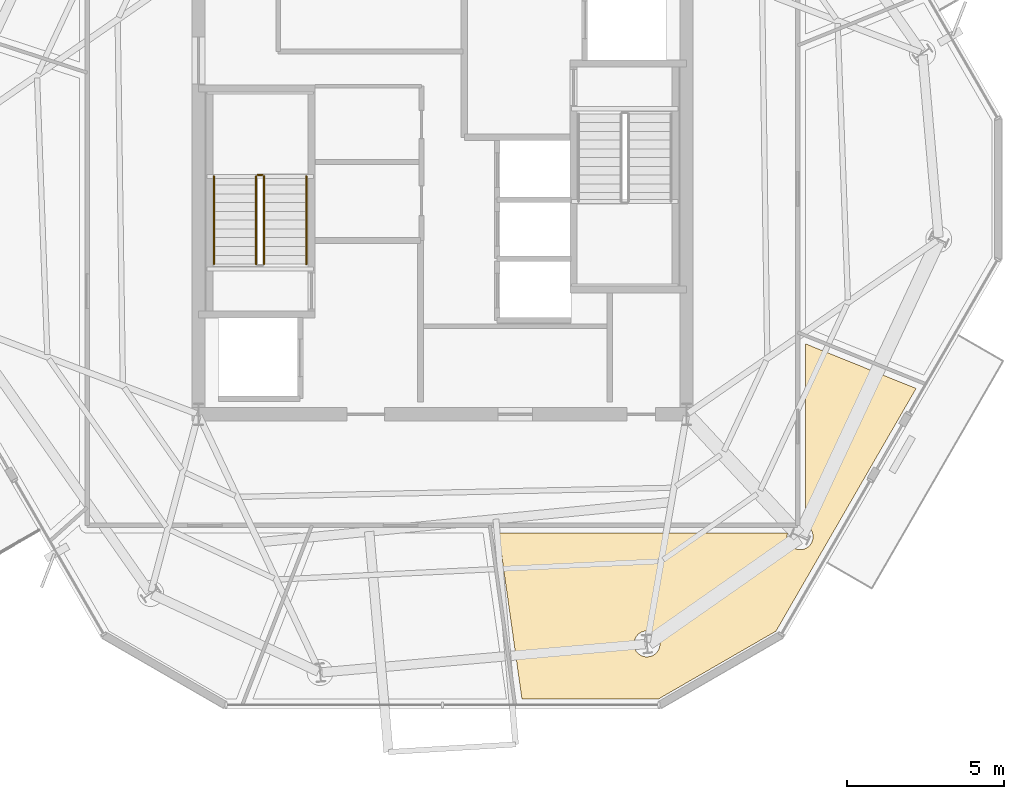
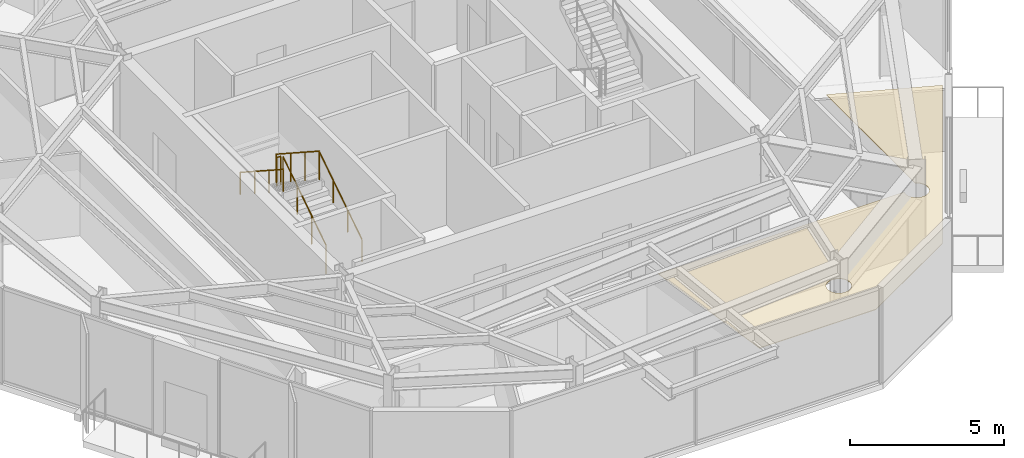
# One storey, part 9 of 11: 5 railings, 1 covering.
"""IFC4 building model written with IfcOpenShell, lengths in metres."""

import ifcopenshell
import ifcopenshell.guid

model = None  # the IFC model being written
_history = None  # IfcOwnerHistory: only IFC2X3 demands one
_inside = {}  # id of a spatial element -> (the spatial element, [elements in it])
_under = {}  # id of a project, library or spatial element -> (it, [spatial elements below it])
_declared = {}  # id of a project -> (the project, [libraries it declares])
_typed = {}  # id of a type object -> (the type object, [elements of that type])
_made_of = {}  # id of a material, layer set ... -> (it, [elements and type objects made of it])


def new_model(schema):
    """Start an empty IFC model of exactly this schema.

    Asked for "IFC4X3", IfcOpenShell would pick the latest addendum, in which some entities
    have other attributes; the version numbers below select the first issue.
    IFC2X3 requires an IfcOwnerHistory on every rooted entity: one is made here for all.
    """
    global model, _history
    if schema == "IFC4X3":
        model = ifcopenshell.file(schema_version=(4, 3, 0, 0))
    else:
        model = ifcopenshell.file(schema=schema)
    _inside.clear()
    _under.clear()
    _declared.clear()
    _typed.clear()
    _made_of.clear()
    _history = None
    if model.schema == "IFC2X3":
        org = make("IfcOrganization", Name="unknown")
        user = make(
            "IfcPersonAndOrganization",
            ThePerson=make("IfcPerson", FamilyName="unknown"),
            TheOrganization=org,
        )
        app = make(
            "IfcApplication",
            ApplicationDeveloper=org,
            Version="unknown",
            ApplicationFullName="unknown",
            ApplicationIdentifier="unknown",
        )
        _history = make(
            "IfcOwnerHistory",
            OwningUser=user,
            OwningApplication=app,
            ChangeAction="ADDED",
            CreationDate=0,
        )
    return model


def make(cls, **values):
    """One entity of the class cls with the attributes given. An attribute that is None is left unset."""
    return model.create_entity(
        cls, **{name: value for name, value in values.items() if value is not None}
    )


def rooted(cls, **values):
    """An entity with a GlobalId (a new one), such as an element, a storey or a relation."""
    return make(cls, GlobalId=ifcopenshell.guid.new(), OwnerHistory=_history, **values)


def si_unit(unit_type, name, prefix=None):
    """IfcSIUnit, for example si_unit("LENGTHUNIT", "METRE", prefix="MILLI")."""
    return make("IfcSIUnit", UnitType=unit_type, Prefix=prefix, Name=name)


def assignment(units):
    """IfcUnitAssignment: the units of a project."""
    return None if units is None else make("IfcUnitAssignment", Units=units)


def point(xyz):
    """IfcCartesianPoint."""
    return None if xyz is None else make("IfcCartesianPoint", Coordinates=xyz)


def direction(xyz):
    """IfcDirection."""
    return None if xyz is None else make("IfcDirection", DirectionRatios=xyz)


def frame(location, z_axis=None, x_axis=None):
    """IfcAxis2Placement3D, a coordinate frame: its origin and axes. An axis left out is left unset."""
    return make(
        "IfcAxis2Placement3D",
        Location=point(location),
        Axis=direction(z_axis),
        RefDirection=direction(x_axis),
    )


def frame_2d(location, x_axis=None):
    """IfcAxis2Placement2D, a coordinate frame in the plane: its origin and x axis."""
    return make(
        "IfcAxis2Placement2D", Location=point(location), RefDirection=direction(x_axis)
    )


def origin():
    """The frame at (0, 0, 0) with its axes left unset."""
    return frame((0.0, 0.0, 0.0))


def origin_2d():
    """The frame at (0, 0) in the plane with its x axis left unset."""
    return frame_2d((0.0, 0.0))


def place(relative_to, where):
    """IfcLocalPlacement: puts the frame where relative to a parent placement (None: the world)."""
    return make(
        "IfcLocalPlacement", PlacementRelTo=relative_to, RelativePlacement=where
    )


def context(
    kind, dimensions, precision=None, world=None, true_north=None, identifier=None
):
    """IfcGeometricRepresentationContext, for example the 3D "Model" context."""
    return make(
        "IfcGeometricRepresentationContext",
        ContextIdentifier=identifier,
        ContextType=kind,
        CoordinateSpaceDimension=dimensions,
        Precision=precision,
        WorldCoordinateSystem=world,
        TrueNorth=true_north,
    )


def subcontext(parent, identifier, kind, view, scale=None):
    """IfcGeometricRepresentationSubContext, for example "Body" below "Model"."""
    return make(
        "IfcGeometricRepresentationSubContext",
        ContextIdentifier=identifier,
        ContextType=kind,
        ParentContext=parent,
        TargetScale=scale,
        TargetView=view,
    )


def project(units=None, contexts=None):
    """IfcProject with its units and contexts."""
    return rooted(
        "IfcProject",
        Name="project",
        RepresentationContexts=contexts,
        UnitsInContext=assignment(units),
    )


def spatial(cls, under=None, at=None, **own):
    """A site, building, storey or space (cls), placed at a placement, below another one or the project."""
    s = rooted(cls, ObjectPlacement=at, **own)
    if under is not None:
        _under.setdefault(under.id(), (under, []))[1].append(s)
    return s


def polyline(points):
    """IfcPolyline through the points."""
    return make("IfcPolyline", Points=[point(p) for p in points])


def profile(cls, at=None, kind="AREA", **sizes):
    """A parametric profile (cls). Its sizes go by their IFC names, for example OverallWidth=200.0."""
    return make(cls, ProfileType=kind, Position=at, **sizes)


def circle(**sizes):
    """IfcCircleProfileDef."""
    return profile("IfcCircleProfileDef", **sizes)


def outline(outer, holes=None, kind="AREA"):
    """IfcArbitraryClosedProfileDef: a profile drawn as a closed curve; with holes, ...WithVoids."""
    if holes is None:
        return make("IfcArbitraryClosedProfileDef", ProfileType=kind, OuterCurve=outer)
    return make(
        "IfcArbitraryProfileDefWithVoids",
        ProfileType=kind,
        OuterCurve=outer,
        InnerCurves=holes,
    )


def extrude(swept, where, along, depth):
    """IfcExtrudedAreaSolid: the profile swept, set in the frame where, extruded along a direction by depth."""
    return make(
        "IfcExtrudedAreaSolid",
        SweptArea=swept,
        Position=where,
        ExtrudedDirection=direction(along),
        Depth=depth,
    )


def shape(context_of_items, identifier, shape_type, items):
    """IfcShapeRepresentation: the items that make up one representation, for example the "Body"."""
    return make(
        "IfcShapeRepresentation",
        ContextOfItems=context_of_items,
        RepresentationIdentifier=identifier,
        RepresentationType=shape_type,
        Items=items,
    )


def material(Name=None, Category=None):
    """IfcMaterial."""
    return make("IfcMaterial", Name=Name, Category=Category)


def layer(
    of_material, thickness, ventilated=None, Name=None, Category=None, Priority=None
):
    """IfcMaterialLayer: one layer of a wall or slab, of a material (None: an air gap)."""
    return make(
        "IfcMaterialLayer",
        Material=of_material,
        LayerThickness=thickness,
        IsVentilated=ventilated,
        Name=Name,
        Category=Category,
        Priority=Priority,
    )


def layer_set(layers, Name=None):
    """IfcMaterialLayerSet."""
    return make("IfcMaterialLayerSet", MaterialLayers=layers, LayerSetName=Name)


def made_of(thing, what):
    """Note that an element or type object is made of a material, layer set ...; save() writes the relation."""
    if what is not None:
        _made_of.setdefault(what.id(), (what, []))[1].append(thing)
    return thing


def type_object(cls, material=None, **own):
    """A type object (cls), such as IfcWallType, which elements share."""
    return made_of(rooted(cls, **own), material)


def element(
    cls,
    number,
    at=None,
    inside=None,
    cuts=None,
    type_object=None,
    material=None,
    context=None,
    identifier="Body",
    shape_type=None,
    held_by="IfcProductDefinitionShape",
    body=None,
    shapes=None,
    **own,
):
    """One element of the class cls, such as IfcWall. Its Tag is "e" and its number.

    at: its placement. inside: the storey or other place that contains it. cuts: it is an
    opening in that element (IfcRelVoidsElement). A single representation is given by context,
    identifier, shape_type and body (its items); several are given by shapes. held_by: the class
    of the entity that holds the representations. save() writes the other relations.
    """
    e = rooted(cls, Tag="e%d" % number, ObjectPlacement=at, **own)
    if body is not None:
        shapes = [shape(context, identifier, shape_type, body)]
    if shapes is not None:
        e.Representation = make(held_by, Representations=shapes)
    if inside is not None:
        _inside.setdefault(inside.id(), (inside, []))[1].append(e)
    if cuts is not None:
        rooted(
            "IfcRelVoidsElement", RelatingBuildingElement=cuts, RelatedOpeningElement=e
        )
    if type_object is not None:
        _typed.setdefault(type_object.id(), (type_object, []))[1].append(e)
    return made_of(e, material)


def aggregate(whole, parts):
    """IfcRelAggregates: a whole, such as a stair, and the parts it consists of."""
    return rooted("IfcRelAggregates", RelatingObject=whole, RelatedObjects=parts)


def save(model, path):
    """Write the relations noted so far, then the file.

    IfcRelAggregates (storeys below a building ...), IfcRelContainedInSpatialStructure (elements
    in a storey), IfcRelDefinesByType, IfcRelAssociatesMaterial and IfcRelDeclares: one each for
    every whole, place, type object, material and project.
    """
    for whole, parts in _under.values():
        aggregate(whole, parts)
    for where, things in _inside.values():
        rooted(
            "IfcRelContainedInSpatialStructure",
            RelatedElements=things,
            RelatingStructure=where,
        )
    for kind, things in _typed.values():
        rooted("IfcRelDefinesByType", RelatedObjects=things, RelatingType=kind)
    for what, things in _made_of.values():
        rooted("IfcRelAssociatesMaterial", RelatedObjects=things, RelatingMaterial=what)
    for by, libraries in _declared.values():
        rooted("IfcRelDeclares", RelatingContext=by, RelatedDefinitions=libraries)
    model.write(path)


model = new_model("IFC4")

# Units and contexts
model_context = context("Model", 3, precision=1e-05, world=origin(), true_north=direction((0.0, 1.0)))
body_context = subcontext(model_context, "Body", "Model", "MODEL_VIEW")
ifc_project = project(units=[si_unit("LENGTHUNIT", "METRE"), si_unit("AREAUNIT", "SQUARE_METRE"), si_unit("VOLUMEUNIT", "CUBIC_METRE"), si_unit("PLANEANGLEUNIT", "RADIAN"), si_unit("MASSUNIT", "GRAM", prefix="KILO")], contexts=[model_context])

# Site, building, storey
site_placement = place(None, origin())
site = spatial("IfcSite", under=ifc_project, at=site_placement, CompositionType="ELEMENT")
building_placement = place(site_placement, origin())
building = spatial("IfcBuilding", under=site, at=building_placement, Name="Kranzbogen Civic Tower", CompositionType="ELEMENT")
storey_placement = place(building_placement, frame((0.0, 0.0, 266.199951171875)))
storey = spatial("IfcBuildingStorey", under=building, at=storey_placement, Name="L64", CompositionType="ELEMENT", Elevation=266.199951171875)

# Railings
ifc_material_1 = material(Name="Steel S355", Category="steel")
railing_type_1 = type_object("IfcRailingType", Name="Internal Stair and Void Steel Guardrail 1150", PredefinedType="GUARDRAIL", material=ifc_material_1)
railing_1_placement = place(storey_placement, frame((19.300048828125, 22.60009765625, 0.181884765625)))
element("IfcRailing", 1, at=railing_1_placement, inside=storey, type_object=railing_type_1, Name="L64 ST-T1 stair guard 1", PredefinedType="GUARDRAIL", context=body_context, shape_type="SweptSolid", body=[
    extrude(circle(Radius=0.02392578125, at=origin_2d()), frame((0.0, 0.0, 1.1259765625), z_axis=(0.0, 0.83868413941, 0.544618136222), x_axis=(-1.0, 0.0, 0.0)), (0.0, 0.0, 1.0), 3.33837890625),
    extrude(circle(Radius=0.02099609375, at=origin_2d()), origin(), (0.0, 0.0, 1.0), 1.101806640625),
    extrude(circle(Radius=0.02099609375, at=origin_2d()), frame((0.0, 0.933349609375, 0.60595703125)), (0.0, 0.0, 1.0), 1.101806640625),
    extrude(circle(Radius=0.02099609375, at=origin_2d()), frame((0.0, 1.866455078125, 1.212158203125)), (0.0, 0.0, 1.0), 1.101806640625),
    extrude(circle(Radius=0.02099609375, at=origin_2d()), frame((0.0, 2.7998046875, 1.818115234375)), (0.0, 0.0, 1.0), 1.101806640625),
])
railing_2_placement = place(storey_placement, frame((19.25, 25.449951171875, 2.0)))
element("IfcRailing", 2, at=railing_2_placement, inside=storey, type_object=railing_type_1, Name="L64 ST-T1 stair guard 2", PredefinedType="GUARDRAIL", context=body_context, shape_type="SweptSolid", body=[
    extrude(circle(Radius=0.02392578125, at=origin_2d()), frame((0.0, 0.0, 1.1259765625), z_axis=(-1.0, 0.0, 0.0), x_axis=(0.0, -1.0, 0.0)), (0.0, 0.0, 1.0), 0.14990234375),
    extrude(circle(Radius=0.02099609375, at=origin_2d()), origin(), (0.0, 0.0, 1.0), 1.101806640625),
    extrude(circle(Radius=0.02099609375, at=origin_2d()), frame((-0.14990234375, 0.0, 0.0)), (0.0, 0.0, 1.0), 1.101806640625),
])
railing_3_placement = place(storey_placement, frame((19.050048828125, 25.39990234375, 2.181884765625)))
element("IfcRailing", 3, at=railing_3_placement, inside=storey, type_object=railing_type_1, Name="L64 ST-T1 stair guard 3", PredefinedType="GUARDRAIL", context=body_context, shape_type="SweptSolid", body=[
    extrude(circle(Radius=0.02392578125, at=origin_2d()), frame((0.0, 0.0, 1.1259765625), z_axis=(0.0, -0.83868413941, 0.544618136222), x_axis=(1.0, 0.0, 0.0)), (0.0, 0.0, 1.0), 3.33837890625),
    extrude(circle(Radius=0.02099609375, at=origin_2d()), origin(), (0.0, 0.0, 1.0), 1.101806640625),
    extrude(circle(Radius=0.02099609375, at=origin_2d()), frame((0.0, -0.933349609375, 0.60595703125)), (0.0, 0.0, 1.0), 1.101806640625),
    extrude(circle(Radius=0.02099609375, at=origin_2d()), frame((0.0, -1.866455078125, 1.212158203125)), (0.0, 0.0, 1.0), 1.101806640625),
    extrude(circle(Radius=0.02099609375, at=origin_2d()), frame((0.0, -2.7998046875, 1.818115234375)), (0.0, 0.0, 1.0), 1.101806640625),
])

# Covering
ifc_material_2 = material(Name="Perforated Acoustic Gypsum Ceiling")
ifc_layer = layer(ifc_material_2, 0.02490234375, Name="Perforated Acoustic Gypsum Ceiling")
ifc_layer_set = layer_set([ifc_layer], Name="Perforated Acoustic Gypsum Ceiling")
covering_type = type_object("IfcCoveringType", Name="Perforated Acoustic Mineral Ceiling Tile 25 mm", PredefinedType="CEILING", material=ifc_layer_set)
covering_placement = place(storey_placement, frame((0.0, 0.0, 2.75)))
element("IfcCovering", 4, at=covering_placement, inside=storey, type_object=covering_type, Name="L64 Staff Tea Pantry acoustic ceiling", PredefinedType="CEILING", context=body_context, shape_type="SweptSolid", body=[
    extrude(outline(polyline([(31.907958984375, 8.7080078125), (27.5380859375, 8.7080078125), (26.79296875, 14.0048828125), (36.02587890625, 14.0048828125), (36.01806640625, 13.970947265625), (36.011962890625, 13.930908203125), (36.010009765625, 13.889892578125), (36.011962890625, 13.84912109375), (36.01806640625, 13.80908203125), (36.027099609375, 13.76904296875), (36.041015625, 13.73095703125), (36.05908203125, 13.694091796875), (36.080078125, 13.658935546875), (36.10400390625, 13.6259765625), (36.131103515625, 13.595947265625), (36.160888671875, 13.569091796875), (36.194091796875, 13.544921875), (36.22900390625, 13.52392578125), (36.26611328125, 13.506103515625), (36.303955078125, 13.491943359375), (36.343994140625, 13.48291015625), (36.384033203125, 13.47705078125), (36.425048828125, 13.47509765625), (36.466064453125, 13.47705078125), (36.506103515625, 13.48291015625), (36.5458984375, 13.491943359375), (36.583984375, 13.506103515625), (36.62109375, 13.52392578125), (36.656005859375, 13.544921875), (36.68896484375, 13.569091796875), (36.718994140625, 13.595947265625), (36.74609375, 13.6259765625), (36.77001953125, 13.658935546875), (36.791015625, 13.694091796875), (36.80908203125, 13.73095703125), (36.822998046875, 13.76904296875), (36.83203125, 13.80908203125), (36.837890625, 13.84912109375), (36.840087890625, 13.889892578125), (36.837890625, 13.930908203125), (36.83203125, 13.970947265625), (36.822998046875, 14.010986328125), (36.80908203125, 14.049072265625), (36.791015625, 14.0859375), (36.77001953125, 14.12109375), (36.74609375, 14.154052734375), (36.718994140625, 14.18408203125), (36.68896484375, 14.2109375), (36.656005859375, 14.235107421875), (36.62109375, 14.256103515625), (36.594970703125, 14.26904296875), (36.594970703125, 20.052001953125), (40.131103515625, 18.6240234375), (35.655029296875, 10.87109375), (31.907958984375, 8.7080078125)]), holes=[polyline([(31.9169921875, 10.304931640625), (31.89892578125, 10.26806640625), (31.8779296875, 10.23291015625), (31.85400390625, 10.199951171875), (31.826904296875, 10.169921875), (31.797119140625, 10.14306640625), (31.763916015625, 10.118896484375), (31.72900390625, 10.097900390625), (31.69189453125, 10.080078125), (31.654052734375, 10.06591796875), (31.614013671875, 10.056884765625), (31.573974609375, 10.051025390625), (31.532958984375, 10.049072265625), (31.491943359375, 10.051025390625), (31.451904296875, 10.056884765625), (31.412109375, 10.06591796875), (31.3740234375, 10.080078125), (31.3369140625, 10.097900390625), (31.302001953125, 10.118896484375), (31.26904296875, 10.14306640625), (31.239013671875, 10.169921875), (31.2119140625, 10.199951171875), (31.18798828125, 10.23291015625), (31.1669921875, 10.26806640625), (31.14892578125, 10.304931640625), (31.135009765625, 10.343017578125), (31.1259765625, 10.383056640625), (31.1201171875, 10.423095703125), (31.117919921875, 10.464111328125), (31.1201171875, 10.5048828125), (31.1259765625, 10.544921875), (31.135009765625, 10.5849609375), (31.14892578125, 10.623046875), (31.1669921875, 10.659912109375), (31.18798828125, 10.695068359375), (31.2119140625, 10.72802734375), (31.239013671875, 10.758056640625), (31.26904296875, 10.784912109375), (31.302001953125, 10.80908203125), (31.3369140625, 10.830078125), (31.3740234375, 10.847900390625), (31.412109375, 10.862060546875), (31.451904296875, 10.87109375), (31.491943359375, 10.876953125), (31.532958984375, 10.87890625), (31.573974609375, 10.876953125), (31.614013671875, 10.87109375), (31.654052734375, 10.862060546875), (31.69189453125, 10.847900390625), (31.72900390625, 10.830078125), (31.763916015625, 10.80908203125), (31.797119140625, 10.784912109375), (31.826904296875, 10.758056640625), (31.85400390625, 10.72802734375), (31.8779296875, 10.695068359375), (31.89892578125, 10.659912109375), (31.9169921875, 10.623046875), (31.930908203125, 10.5849609375), (31.93994140625, 10.544921875), (31.946044921875, 10.5048828125), (31.947998046875, 10.464111328125), (31.946044921875, 10.423095703125), (31.93994140625, 10.383056640625), (31.930908203125, 10.343017578125), (31.9169921875, 10.304931640625)])]), origin(), (0.0, 0.0, 1.0), 0.025146484375),
])

# Railings
ifc_material_3 = material(Name="Pale Anodised Aluminium", Category="aluminium")
railing_type_2 = type_object("IfcRailingType", Name="Tubular Stainless Stair Wall Handrail 900", PredefinedType="HANDRAIL", material=ifc_material_3)
railing_4_placement = place(storey_placement, frame((20.64990234375, 22.60009765625, 0.181884765625)))
element("IfcRailing", 5, at=railing_4_placement, inside=storey, type_object=railing_type_2, Name="L64 ST-T1 stair handrail 1", PredefinedType="HANDRAIL", context=body_context, shape_type="SweptSolid", body=[
    extrude(circle(Radius=0.02392578125, at=origin_2d()), frame((0.0, 0.0, 0.8759765625), z_axis=(0.0, 0.83868413941, 0.544618136222), x_axis=(-1.0, 0.0, 0.0)), (0.0, 0.0, 1.0), 3.33837890625),
    extrude(circle(Radius=0.02099609375, at=origin_2d()), origin(), (0.0, 0.0, 1.0), 0.851806640625),
    extrude(circle(Radius=0.02099609375, at=origin_2d()), frame((0.0, 0.933349609375, 0.60595703125)), (0.0, 0.0, 1.0), 0.851806640625),
    extrude(circle(Radius=0.02099609375, at=origin_2d()), frame((0.0, 1.866455078125, 1.212158203125)), (0.0, 0.0, 1.0), 0.851806640625),
    extrude(circle(Radius=0.02099609375, at=origin_2d()), frame((0.0, 2.7998046875, 1.818115234375)), (0.0, 0.0, 1.0), 0.851806640625),
])
railing_5_placement = place(storey_placement, frame((17.699951171875, 25.39990234375, 2.181884765625)))
element("IfcRailing", 6, at=railing_5_placement, inside=storey, type_object=railing_type_2, Name="L64 ST-T1 stair handrail 2", PredefinedType="HANDRAIL", context=body_context, shape_type="SweptSolid", body=[
    extrude(circle(Radius=0.02392578125, at=origin_2d()), frame((0.0, 0.0, 0.8759765625), z_axis=(0.0, -0.83868413941, 0.544618136222), x_axis=(1.0, 0.0, 0.0)), (0.0, 0.0, 1.0), 3.33837890625),
    extrude(circle(Radius=0.02099609375, at=origin_2d()), origin(), (0.0, 0.0, 1.0), 0.851806640625),
    extrude(circle(Radius=0.02099609375, at=origin_2d()), frame((0.0, -0.933349609375, 0.60595703125)), (0.0, 0.0, 1.0), 0.851806640625),
    extrude(circle(Radius=0.02099609375, at=origin_2d()), frame((0.0, -1.866455078125, 1.212158203125)), (0.0, 0.0, 1.0), 0.851806640625),
    extrude(circle(Radius=0.02099609375, at=origin_2d()), frame((0.0, -2.7998046875, 1.818115234375)), (0.0, 0.0, 1.0), 0.851806640625),
])

save(model, "model.ifc")
